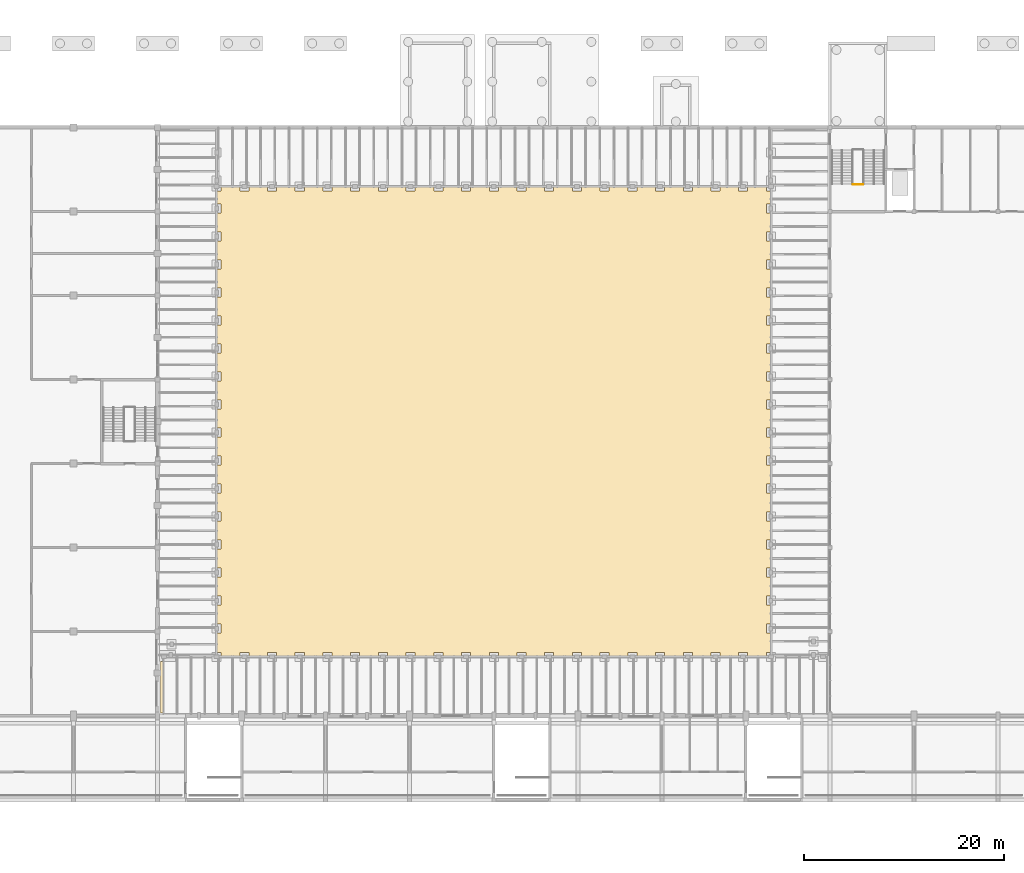
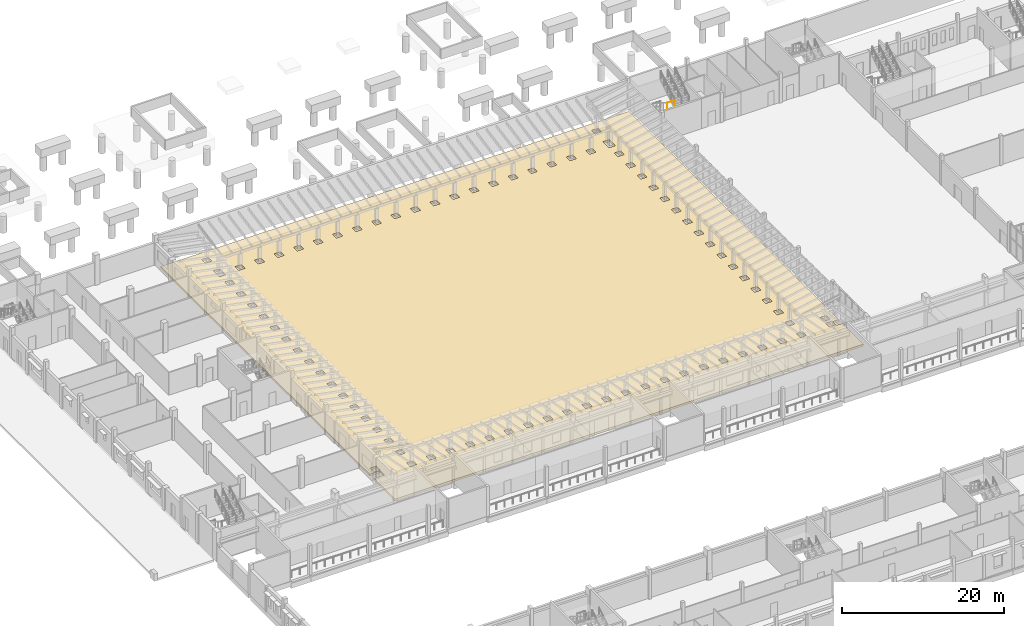
# One storey, part 56 of 60: 1 covering, 1 railing.
"""IFC4 building model written with IfcOpenShell, lengths in metres."""

from ifc_helpers import new_model, si_unit, direction, frame, origin, origin_2d, place, context, subcontext, project, spatial, polyline, circle, outline, extrude, material, layer, layer_set, type_object, element, save


model = new_model("IFC4")

# Units and contexts
model_context = context("Model", 3, precision=1e-05, world=origin(), true_north=direction((0.0, 1.0)))
body_context = subcontext(model_context, "Body", "Model", "MODEL_VIEW")
ifc_project = project(units=[si_unit("LENGTHUNIT", "METRE"), si_unit("AREAUNIT", "SQUARE_METRE"), si_unit("VOLUMEUNIT", "CUBIC_METRE"), si_unit("PLANEANGLEUNIT", "RADIAN"), si_unit("MASSUNIT", "GRAM", prefix="KILO")], contexts=[model_context])

# Site, building, storey
site_placement = place(None, origin())
site = spatial("IfcSite", under=ifc_project, at=site_placement, CompositionType="ELEMENT")
building_placement = place(site_placement, origin())
building = spatial("IfcBuilding", under=site, at=building_placement, Name="Fescue Hill Polytechnic", CompositionType="ELEMENT")
storey_placement = place(building_placement, frame((0.0, 0.0, 4.5)))
storey = spatial("IfcBuildingStorey", under=building, at=storey_placement, Name="L01", CompositionType="ELEMENT", Elevation=4.5)

# Railing
ifc_material_1 = material(Name="Steel 350W (350 MPa)", Category="steel")
railing_type = type_object("IfcRailingType", Name="Stair guard steel 1100", PredefinedType="GUARDRAIL", material=ifc_material_1)
railing_placement = place(storey_placement, frame((94.699951171875, 103.514892578125, 2.25)))
element("IfcRailing", 1, at=railing_placement, inside=storey, type_object=railing_type, Name="L01 ST-V6-1 stair guard 2", PredefinedType="GUARDRAIL", context=body_context, shape_type="SweptSolid", body=[
    extrude(circle(Radius=0.02392578125, at=origin_2d()), frame((0.0, 0.0, 1.076171875), z_axis=(1.0, 0.0, 0.0), x_axis=(0.0, 1.0, 0.0)), (0.0, 0.0, 1.0), 1.025146484375),
    extrude(circle(Radius=0.02099609375, at=origin_2d()), origin(), (0.0, 0.0, 1.0), 1.052001953125),
    extrude(circle(Radius=0.02099609375, at=origin_2d()), frame((1.025146484375, 0.0, 0.0)), (0.0, 0.0, 1.0), 1.052001953125),
])

# Covering
ifc_material_2 = material(Name="Paving and gravel")
ifc_layer = layer(ifc_material_2, 0.300048828125)
ifc_layer_set = layer_set([ifc_layer], Name="Paving and gravel")
covering_type = type_object("IfcCoveringType", Name="Terrace paving and gravel 300", PredefinedType="FLOORING", material=ifc_layer_set)
covering_placement = place(storey_placement, frame((0.0, 0.0, -0.300048828125)))
element("IfcCovering", 2, at=covering_placement, inside=storey, type_object=covering_type, Name="Court paving and gravel", PredefinedType="FLOORING", context=body_context, shape_type="SweptSolid", body=[
    extrude(outline(polyline([(91.25, 55.85009765625), (92.10009765625, 55.85009765625), (92.10009765625, 50.699951171875), (25.5, 50.699951171875), (25.5, 55.85009765625), (26.97509765625, 55.85009765625), (26.97509765625, 56.9150390625), (25.5, 56.9150390625), (25.5, 108.39990234375), (92.10009765625, 108.39990234375), (92.10009765625, 56.75), (91.25, 56.75), (91.25, 55.85009765625)]), holes=[polyline([(90.300048828125, 56.9150390625), (90.300048828125, 56.014892578125), (91.199951171875, 56.014892578125), (91.199951171875, 56.9150390625), (90.300048828125, 56.9150390625)]), polyline([(91.199951171875, 58.29638671875), (90.300048828125, 58.29638671875), (90.300048828125, 57.396484375), (91.199951171875, 57.396484375), (91.199951171875, 58.29638671875)]), polyline([(86.050048828125, 84.75), (86.050048828125, 83.85009765625), (86.949951171875, 83.85009765625), (86.949951171875, 84.75), (86.050048828125, 84.75)]), polyline([(86.050048828125, 56.75), (86.050048828125, 55.85009765625), (86.949951171875, 55.85009765625), (86.949951171875, 56.75), (86.050048828125, 56.75)]), polyline([(86.050048828125, 59.550048828125), (86.050048828125, 58.64990234375), (86.949951171875, 58.64990234375), (86.949951171875, 59.550048828125), (86.050048828125, 59.550048828125)]), polyline([(86.050048828125, 62.35009765625), (86.050048828125, 61.449951171875), (86.949951171875, 61.449951171875), (86.949951171875, 62.35009765625), (86.050048828125, 62.35009765625)]), polyline([(86.050048828125, 65.14990234375), (86.050048828125, 64.25), (86.949951171875, 64.25), (86.949951171875, 65.14990234375), (86.050048828125, 65.14990234375)]), polyline([(86.050048828125, 67.949951171875), (86.050048828125, 67.050048828125), (86.949951171875, 67.050048828125), (86.949951171875, 67.949951171875), (86.050048828125, 67.949951171875)]), polyline([(86.050048828125, 70.75), (86.050048828125, 69.85009765625), (86.949951171875, 69.85009765625), (86.949951171875, 70.75), (86.050048828125, 70.75)]), polyline([(86.050048828125, 73.550048828125), (86.050048828125, 72.64990234375), (86.949951171875, 72.64990234375), (86.949951171875, 73.550048828125), (86.050048828125, 73.550048828125)]), polyline([(86.050048828125, 76.35009765625), (86.050048828125, 75.449951171875), (86.949951171875, 75.449951171875), (86.949951171875, 76.35009765625), (86.050048828125, 76.35009765625)]), polyline([(86.050048828125, 79.14990234375), (86.050048828125, 78.25), (86.949951171875, 78.25), (86.949951171875, 79.14990234375), (86.050048828125, 79.14990234375)]), polyline([(86.050048828125, 81.949951171875), (86.050048828125, 81.050048828125), (86.949951171875, 81.050048828125), (86.949951171875, 81.949951171875), (86.050048828125, 81.949951171875)]), polyline([(86.050048828125, 107.14990234375), (86.050048828125, 106.25), (86.949951171875, 106.25), (86.949951171875, 107.14990234375), (86.050048828125, 107.14990234375)]), polyline([(86.050048828125, 104.35009765625), (86.050048828125, 102.85009765625), (86.949951171875, 102.85009765625), (86.949951171875, 104.35009765625), (86.050048828125, 104.35009765625)]), polyline([(86.050048828125, 101.550048828125), (86.050048828125, 100.64990234375), (86.949951171875, 100.64990234375), (86.949951171875, 101.550048828125), (86.050048828125, 101.550048828125)]), polyline([(86.050048828125, 98.75), (86.050048828125, 97.85009765625), (86.949951171875, 97.85009765625), (86.949951171875, 98.75), (86.050048828125, 98.75)]), polyline([(86.050048828125, 93.14990234375), (86.050048828125, 92.25), (86.949951171875, 92.25), (86.949951171875, 93.14990234375), (86.050048828125, 93.14990234375)]), polyline([(86.050048828125, 90.35009765625), (86.050048828125, 89.449951171875), (86.949951171875, 89.449951171875), (86.949951171875, 90.35009765625), (86.050048828125, 90.35009765625)]), polyline([(86.050048828125, 87.550048828125), (86.050048828125, 86.64990234375), (86.949951171875, 86.64990234375), (86.949951171875, 87.550048828125), (86.050048828125, 87.550048828125)]), polyline([(86.050048828125, 95.949951171875), (86.050048828125, 95.050048828125), (86.949951171875, 95.050048828125), (86.949951171875, 95.949951171875), (86.050048828125, 95.949951171875)]), polyline([(83.280029296875, 103.75), (83.280029296875, 102.85009765625), (84.179931640625, 102.85009765625), (84.179931640625, 103.75), (83.280029296875, 103.75)]), polyline([(84.179931640625, 56.75), (83.280029296875, 56.75), (83.280029296875, 55.85009765625), (84.179931640625, 55.85009765625), (84.179931640625, 56.75)]), polyline([(80.510009765625, 103.75), (80.510009765625, 102.85009765625), (81.409912109375, 102.85009765625), (81.409912109375, 103.75), (80.510009765625, 103.75)]), polyline([(80.510009765625, 56.75), (80.510009765625, 55.85009765625), (81.409912109375, 55.85009765625), (81.409912109375, 56.75), (80.510009765625, 56.75)]), polyline([(78.639892578125, 103.75), (77.739990234375, 103.75), (77.739990234375, 102.85009765625), (78.639892578125, 102.85009765625), (78.639892578125, 103.75)]), polyline([(77.739990234375, 56.75), (77.739990234375, 55.85009765625), (78.639892578125, 55.85009765625), (78.639892578125, 56.75), (77.739990234375, 56.75)]), polyline([(75.8701171875, 103.75), (74.969970703125, 103.75), (74.969970703125, 102.85009765625), (75.8701171875, 102.85009765625), (75.8701171875, 103.75)]), polyline([(74.969970703125, 56.75), (74.969970703125, 55.85009765625), (75.8701171875, 55.85009765625), (75.8701171875, 56.75), (74.969970703125, 56.75)]), polyline([(73.10009765625, 103.75), (72.199951171875, 103.75), (72.199951171875, 102.85009765625), (73.10009765625, 102.85009765625), (73.10009765625, 103.75)]), polyline([(73.10009765625, 56.75), (72.199951171875, 56.75), (72.199951171875, 55.85009765625), (73.10009765625, 55.85009765625), (73.10009765625, 56.75)]), polyline([(69.429931640625, 103.75), (69.429931640625, 102.85009765625), (70.330078125, 102.85009765625), (70.330078125, 103.75), (69.429931640625, 103.75)]), polyline([(69.429931640625, 56.75), (69.429931640625, 55.85009765625), (70.330078125, 55.85009765625), (70.330078125, 56.75), (69.429931640625, 56.75)]), polyline([(66.659912109375, 103.75), (66.659912109375, 102.85009765625), (67.56005859375, 102.85009765625), (67.56005859375, 103.75), (66.659912109375, 103.75)]), polyline([(66.659912109375, 56.75), (66.659912109375, 55.85009765625), (67.56005859375, 55.85009765625), (67.56005859375, 56.75), (66.659912109375, 56.75)]), polyline([(64.7900390625, 103.75), (63.889892578125, 103.75), (63.889892578125, 102.85009765625), (64.7900390625, 102.85009765625), (64.7900390625, 103.75)]), polyline([(64.7900390625, 56.75), (63.889892578125, 56.75), (63.889892578125, 55.85009765625), (64.7900390625, 55.85009765625), (64.7900390625, 56.75)]), polyline([(61.1201171875, 103.75), (61.1201171875, 102.85009765625), (62.02001953125, 102.85009765625), (62.02001953125, 103.75), (61.1201171875, 103.75)]), polyline([(62.02001953125, 56.75), (61.1201171875, 56.75), (61.1201171875, 55.85009765625), (62.02001953125, 55.85009765625), (62.02001953125, 56.75)]), polyline([(59.25, 56.75), (58.35009765625, 56.75), (58.35009765625, 55.85009765625), (59.25, 55.85009765625), (59.25, 56.75)]), polyline([(58.35009765625, 103.75), (58.35009765625, 102.85009765625), (59.25, 102.85009765625), (59.25, 103.75), (58.35009765625, 103.75)]), polyline([(55.580078125, 103.75), (55.580078125, 102.85009765625), (56.47998046875, 102.85009765625), (56.47998046875, 103.75), (55.580078125, 103.75)]), polyline([(55.580078125, 56.75), (55.580078125, 55.85009765625), (56.47998046875, 55.85009765625), (56.47998046875, 56.75), (55.580078125, 56.75)]), polyline([(53.7099609375, 103.75), (52.81005859375, 103.75), (52.81005859375, 102.85009765625), (53.7099609375, 102.85009765625), (53.7099609375, 103.75)]), polyline([(52.81005859375, 56.75), (52.81005859375, 55.85009765625), (53.7099609375, 55.85009765625), (53.7099609375, 56.75), (52.81005859375, 56.75)]), polyline([(50.93994140625, 103.75), (50.0400390625, 103.75), (50.0400390625, 102.85009765625), (50.93994140625, 102.85009765625), (50.93994140625, 103.75)]), polyline([(50.0400390625, 56.75), (50.0400390625, 55.85009765625), (50.93994140625, 55.85009765625), (50.93994140625, 56.75), (50.0400390625, 56.75)]), polyline([(47.27001953125, 103.75), (47.27001953125, 102.85009765625), (48.169921875, 102.85009765625), (48.169921875, 103.75), (47.27001953125, 103.75)]), polyline([(48.169921875, 56.75), (47.27001953125, 56.75), (47.27001953125, 55.85009765625), (48.169921875, 55.85009765625), (48.169921875, 56.75)]), polyline([(44.5, 103.75), (44.5, 102.85009765625), (45.39990234375, 102.85009765625), (45.39990234375, 103.75), (44.5, 103.75)]), polyline([(44.5, 56.75), (44.5, 55.85009765625), (45.39990234375, 55.85009765625), (45.39990234375, 56.75), (44.5, 56.75)]), polyline([(41.72998046875, 56.75), (41.72998046875, 55.85009765625), (42.6298828125, 55.85009765625), (42.6298828125, 56.75), (41.72998046875, 56.75)]), polyline([(41.72998046875, 103.75), (41.72998046875, 102.85009765625), (42.6298828125, 102.85009765625), (42.6298828125, 103.75), (41.72998046875, 103.75)]), polyline([(38.9599609375, 103.75), (38.9599609375, 102.85009765625), (39.860107421875, 102.85009765625), (39.860107421875, 103.75), (38.9599609375, 103.75)]), polyline([(39.860107421875, 56.75), (38.9599609375, 56.75), (38.9599609375, 55.85009765625), (39.860107421875, 55.85009765625), (39.860107421875, 56.75)]), polyline([(36.18994140625, 103.75), (36.18994140625, 102.85009765625), (37.090087890625, 102.85009765625), (37.090087890625, 103.75), (36.18994140625, 103.75)]), polyline([(37.090087890625, 56.75), (36.18994140625, 56.75), (36.18994140625, 55.85009765625), (37.090087890625, 55.85009765625), (37.090087890625, 56.75)]), polyline([(33.419921875, 103.75), (33.419921875, 102.85009765625), (34.320068359375, 102.85009765625), (34.320068359375, 103.75), (33.419921875, 103.75)]), polyline([(33.419921875, 56.75), (33.419921875, 55.85009765625), (34.320068359375, 55.85009765625), (34.320068359375, 56.75), (33.419921875, 56.75)]), polyline([(30.64990234375, 79.14990234375), (30.64990234375, 78.25), (31.550048828125, 78.25), (31.550048828125, 79.14990234375), (30.64990234375, 79.14990234375)]), polyline([(30.64990234375, 76.35009765625), (30.64990234375, 75.449951171875), (31.550048828125, 75.449951171875), (31.550048828125, 76.35009765625), (30.64990234375, 76.35009765625)]), polyline([(30.64990234375, 73.550048828125), (30.64990234375, 72.64990234375), (31.550048828125, 72.64990234375), (31.550048828125, 73.550048828125), (30.64990234375, 73.550048828125)]), polyline([(30.64990234375, 70.75), (30.64990234375, 69.85009765625), (31.550048828125, 69.85009765625), (31.550048828125, 70.75), (30.64990234375, 70.75)]), polyline([(31.550048828125, 67.949951171875), (30.64990234375, 67.949951171875), (30.64990234375, 67.050048828125), (31.550048828125, 67.050048828125), (31.550048828125, 67.949951171875)]), polyline([(30.64990234375, 65.14990234375), (30.64990234375, 64.25), (31.550048828125, 64.25), (31.550048828125, 65.14990234375), (30.64990234375, 65.14990234375)]), polyline([(30.64990234375, 62.35009765625), (30.64990234375, 61.449951171875), (31.550048828125, 61.449951171875), (31.550048828125, 62.35009765625), (30.64990234375, 62.35009765625)]), polyline([(31.550048828125, 59.550048828125), (30.64990234375, 59.550048828125), (30.64990234375, 58.64990234375), (31.550048828125, 58.64990234375), (31.550048828125, 59.550048828125)]), polyline([(30.64990234375, 56.75), (30.64990234375, 55.85009765625), (31.550048828125, 55.85009765625), (31.550048828125, 56.75), (30.64990234375, 56.75)]), polyline([(30.64990234375, 107.14990234375), (30.64990234375, 106.25), (31.550048828125, 106.25), (31.550048828125, 107.14990234375), (30.64990234375, 107.14990234375)]), polyline([(31.550048828125, 84.75), (30.64990234375, 84.75), (30.64990234375, 83.85009765625), (31.550048828125, 83.85009765625), (31.550048828125, 84.75)]), polyline([(30.64990234375, 87.550048828125), (30.64990234375, 86.64990234375), (31.550048828125, 86.64990234375), (31.550048828125, 87.550048828125), (30.64990234375, 87.550048828125)]), polyline([(30.64990234375, 90.35009765625), (30.64990234375, 89.449951171875), (31.550048828125, 89.449951171875), (31.550048828125, 90.35009765625), (30.64990234375, 90.35009765625)]), polyline([(31.550048828125, 93.14990234375), (30.64990234375, 93.14990234375), (30.64990234375, 92.25), (31.550048828125, 92.25), (31.550048828125, 93.14990234375)]), polyline([(30.64990234375, 95.949951171875), (30.64990234375, 95.050048828125), (31.550048828125, 95.050048828125), (31.550048828125, 95.949951171875), (30.64990234375, 95.949951171875)]), polyline([(30.64990234375, 98.75), (30.64990234375, 97.85009765625), (31.550048828125, 97.85009765625), (31.550048828125, 98.75), (30.64990234375, 98.75)]), polyline([(31.550048828125, 101.550048828125), (30.64990234375, 101.550048828125), (30.64990234375, 100.64990234375), (31.550048828125, 100.64990234375), (31.550048828125, 101.550048828125)]), polyline([(30.64990234375, 104.35009765625), (30.64990234375, 102.85009765625), (31.550048828125, 102.85009765625), (31.550048828125, 104.35009765625), (30.64990234375, 104.35009765625)]), polyline([(30.64990234375, 81.949951171875), (30.64990234375, 81.050048828125), (31.550048828125, 81.050048828125), (31.550048828125, 81.949951171875), (30.64990234375, 81.949951171875)]), polyline([(26.14990234375, 58.0), (26.14990234375, 57.10009765625), (27.050048828125, 57.10009765625), (27.050048828125, 58.0), (26.14990234375, 58.0)])]), origin(), (0.0, 0.0, 1.0), 0.300048828125),
])

save(model, "model.ifc")
